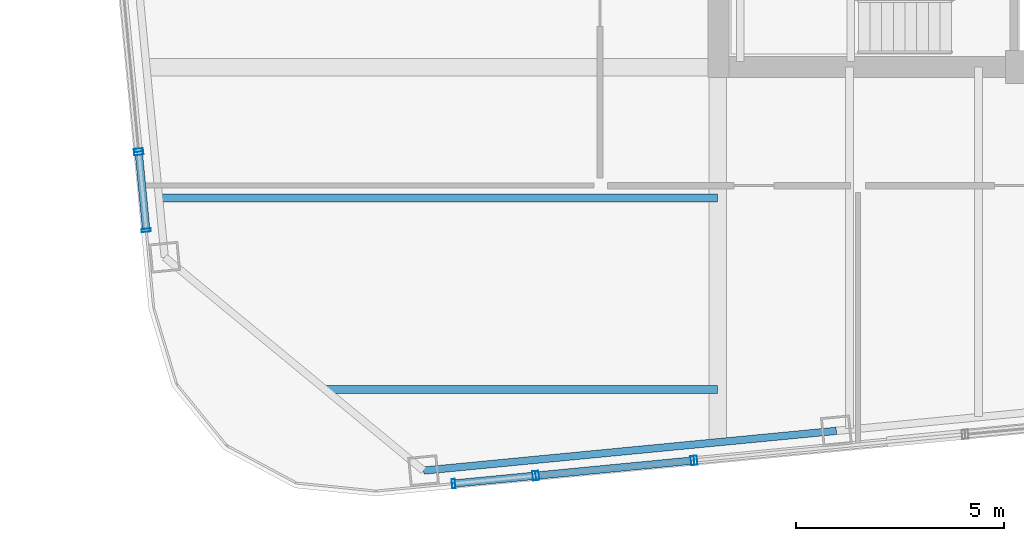
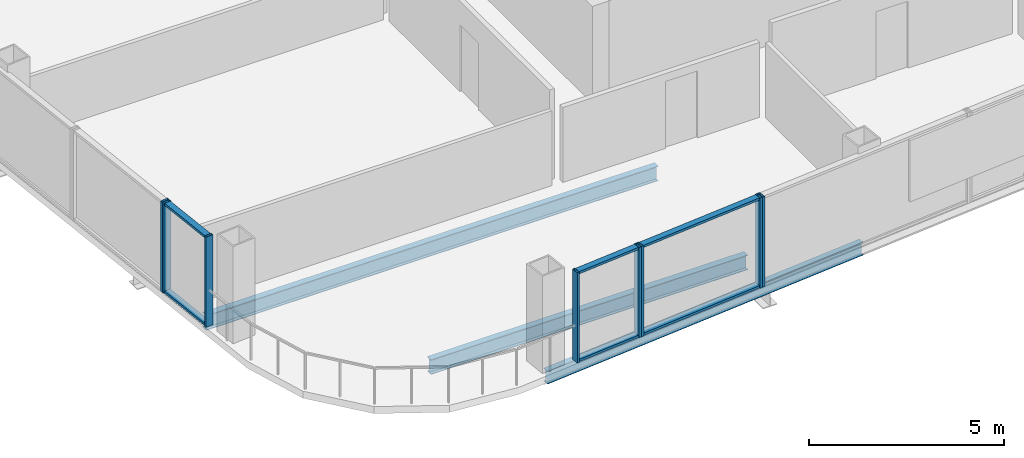
# One storey, part 2 of 22: 14 members, 3 beams, 5 elements without a shape of their own.
"""IFC4 building model written with IfcOpenShell, lengths in metres."""

from ifc_helpers import new_model, si_unit, direction, frame, origin, origin_2d, place, context, subcontext, project, spatial, hollow_rectangle, i_section, extrude, material, layer, layer_set, material_profile, profile_set, type_object, element, aggregate, save


model = new_model("IFC4")

# Units and contexts
model_context = context("Model", 3, precision=1e-05, world=origin(), true_north=direction((0.0, 1.0)))
body_context = subcontext(model_context, "Body", "Model", "MODEL_VIEW")
ifc_project = project(units=[si_unit("LENGTHUNIT", "METRE"), si_unit("AREAUNIT", "SQUARE_METRE"), si_unit("VOLUMEUNIT", "CUBIC_METRE"), si_unit("PLANEANGLEUNIT", "RADIAN"), si_unit("MASSUNIT", "GRAM", prefix="KILO")], contexts=[model_context])

# Site, building, storey
site_placement = place(None, origin())
site = spatial("IfcSite", under=ifc_project, at=site_placement, CompositionType="ELEMENT")
building_placement = place(site_placement, origin())
building = spatial("IfcBuilding", under=site, at=building_placement, Name="Qhalaya Broadcast Tower", CompositionType="ELEMENT")
storey_placement = place(building_placement, frame((0.0, 0.0, 174.449951171875)))
storey = spatial("IfcBuildingStorey", under=building, at=storey_placement, Name="L51", CompositionType="ELEMENT", Elevation=174.449951171875)

# Beams
ifc_material_1 = material(Name="Structural Steel ASTM A992 Grade 50", Category="steel")
ifc_material_profile_1 = material_profile(ifc_material_1, i_section(OverallWidth=0.19189453125, OverallDepth=0.462890625, WebThickness=0.010498046875, FlangeThickness=0.017578125, at=origin_2d()), Name="W18X60")
ifc_profile_set_1 = profile_set([ifc_material_profile_1], Name="Structural Steel ASTM A992 Grade 50")
beam_type_1 = type_object("IfcBeamType", Name="Composite Floor Joist J03", PredefinedType="JOIST", material=ifc_profile_set_1)
beam_1_placement = place(storey_placement, frame((-18.7734375, -16.5, -0.451416015625), z_axis=(1.0, 0.0, 0.0), x_axis=(0.0, 1.0, 0.0)))
element("IfcBeam", 1, at=beam_1_placement, inside=storey, type_object=beam_type_1, Name="L51 J03 L51-JWE1W-1", PredefinedType="JOIST", context=body_context, shape_type="SweptSolid", body=[
    extrude(i_section(OverallWidth=0.19189453125, OverallDepth=0.462890625, WebThickness=0.010498046875, FlangeThickness=0.017578125, at=origin_2d()), origin(), (0.0, 0.0, 1.0), 9.3984375),
])
beam_2_placement = place(storey_placement, frame((-22.77880859375, -11.89990234375, -0.451416015625), z_axis=(1.0, 0.0, 0.0), x_axis=(0.0, 1.0, 0.0)))
element("IfcBeam", 2, at=beam_2_placement, inside=storey, type_object=beam_type_1, Name="L51 J03 L51-JWE2W-1", PredefinedType="JOIST", context=body_context, shape_type="SweptSolid", body=[
    extrude(i_section(OverallWidth=0.19189453125, OverallDepth=0.462890625, WebThickness=0.010498046875, FlangeThickness=0.017578125, at=origin_2d()), origin(), (0.0, 0.0, 1.0), 13.40380859375),
])

# Curtain wall, members
ifc_material_2 = material(Name="Fired Architectural Terracotta", Category="masonry")
ifc_layer_1 = layer(ifc_material_2, 0.219970703125, Name="Fired Architectural Terracotta")
ifc_layer_set_1 = layer_set([ifc_layer_1], Name="Fired Architectural Terracotta")
curtain_wall_type_1 = type_object("IfcCurtainWallType", Name="Block-Cap Unitised Terracotta Spandrel Wall CW-07", PredefinedType="NOTDEFINED", material=ifc_layer_set_1)
curtain_wall_1_placement = place(storey_placement, origin())
curtain_wall_1 = element("IfcCurtainWall", 3, at=curtain_wall_1_placement, inside=storey, type_object=curtain_wall_type_1, Name="L51 Unitised Curtain Wall L51-CW-S1", PredefinedType="NOTDEFINED")
ifc_material_3 = material(Name="Anodised Aluminium 6063-T6", Category="aluminium")
ifc_material_profile_2 = material_profile(ifc_material_3, hollow_rectangle(XDim=0.074951171875, YDim=0.219970703125, WallThickness=0.00390625, at=origin_2d()), Name="ALU-MUL 75x220x4")
ifc_profile_set_2 = profile_set([ifc_material_profile_2], Name="Anodised Aluminium 6063-T6")
member_type_1 = type_object("IfcMemberType", Name="Unitised Curtain-Wall Mullion M01", PredefinedType="MULLION", material=ifc_profile_set_2)
member_1_placement = place(storey_placement, frame((-15.72119140625, -18.76025390625, 0.0), z_axis=(0.0, 0.0, 1.0), x_axis=(0.995396068977, 0.095847096282, 0.0)))
member_1 = element("IfcMember", 4, at=member_1_placement, type_object=member_type_1, Name="CW-07 mullion 1", PredefinedType="MULLION", context=body_context, shape_type="SweptSolid", body=[
    extrude(hollow_rectangle(XDim=0.074951171875, YDim=0.219970703125, WallThickness=0.00390625, at=origin_2d()), origin(), (0.0, 0.0, 1.0), 2.830078125),
])
member_2_placement = place(storey_placement, frame((-13.7822265625, -18.573486328125, 0.0), z_axis=(0.0, 0.0, 1.0), x_axis=(0.995396068977, 0.095847096282, 0.0)))
member_2 = element("IfcMember", 5, at=member_2_placement, type_object=member_type_1, Name="CW-07 mullion 2", PredefinedType="MULLION", context=body_context, shape_type="SweptSolid", body=[
    extrude(hollow_rectangle(XDim=0.074951171875, YDim=0.219970703125, WallThickness=0.00390625, at=origin_2d()), origin(), (0.0, 0.0, 1.0), 2.830078125),
])

ifc_material_4 = material(Name="Solar-Control Low-E Triple Glazing", Category="glass")
ifc_layer_2 = layer(ifc_material_4, 0.219970703125, Name="Solar-Control Low-E Triple Glazing")
ifc_layer_set_2 = layer_set([ifc_layer_2], Name="Solar-Control Low-E Triple Glazing")
curtain_wall_type_2 = type_object("IfcCurtainWallType", Name="Even-Block 4-Storey Double-Module Curtain Wall CW-03", PredefinedType="NOTDEFINED", material=ifc_layer_set_2)
curtain_wall_2_placement = place(storey_placement, origin())
curtain_wall_2 = element("IfcCurtainWall", 6, at=curtain_wall_2_placement, inside=storey, type_object=curtain_wall_type_2, Name="L51 Unitised Curtain Wall L51-CW-S2", PredefinedType="NOTDEFINED")
member_3_placement = place(storey_placement, frame((-13.70751953125, -18.56640625, 0.0), z_axis=(0.0, 0.0, 1.0), x_axis=(0.995396841683, 0.095839071198, 0.0)))
member_3 = element("IfcMember", 7, at=member_3_placement, type_object=member_type_1, Name="CW-03 mullion 1", PredefinedType="MULLION", context=body_context, shape_type="SweptSolid", body=[
    extrude(hollow_rectangle(XDim=0.074951171875, YDim=0.219970703125, WallThickness=0.00390625, at=origin_2d()), origin(), (0.0, 0.0, 1.0), 2.830078125),
])
member_4_placement = place(storey_placement, frame((-9.978759765625, -18.207275390625, 0.0), z_axis=(0.0, 0.0, 1.0), x_axis=(0.995396841683, 0.095839071198, 0.0)))
member_4 = element("IfcMember", 8, at=member_4_placement, type_object=member_type_1, Name="CW-03 mullion 2", PredefinedType="MULLION", context=body_context, shape_type="SweptSolid", body=[
    extrude(hollow_rectangle(XDim=0.074951171875, YDim=0.219970703125, WallThickness=0.00390625, at=origin_2d()), origin(), (0.0, 0.0, 1.0), 2.830078125),
])

# Curtain wall, member
curtain_wall_3_placement = place(storey_placement, origin())
curtain_wall_3 = element("IfcCurtainWall", 9, at=curtain_wall_3_placement, inside=storey, type_object=curtain_wall_type_1, Name="L51 Unitised Curtain Wall L51-CW-S3", PredefinedType="NOTDEFINED")
member_5_placement = place(storey_placement, frame((-9.904052734375, -18.2001953125, 0.0), z_axis=(0.0, 0.0, 1.0), x_axis=(0.995396395442, 0.095843705796, 0.0)))
member_5 = element("IfcMember", 10, at=member_5_placement, type_object=member_type_1, Name="CW-07 mullion 1", PredefinedType="MULLION", context=body_context, shape_type="SweptSolid", body=[
    extrude(hollow_rectangle(XDim=0.074951171875, YDim=0.219970703125, WallThickness=0.00390625, at=origin_2d()), origin(), (0.0, 0.0, 1.0), 2.830078125),
])
aggregate(curtain_wall_3, [member_5])

curtain_wall_4_placement = place(storey_placement, origin())
curtain_wall_4 = element("IfcCurtainWall", 11, at=curtain_wall_4_placement, inside=storey, type_object=curtain_wall_type_2, Name="L51 Unitised Curtain Wall L51-CW-W6", PredefinedType="NOTDEFINED")
member_6_placement = place(storey_placement, frame((-23.29150390625, -10.748291015625, 0.0), z_axis=(0.0, 0.0, 1.0), x_axis=(0.095825752198, -0.995398123976, 0.0)))
member_6 = element("IfcMember", 12, at=member_6_placement, type_object=member_type_1, Name="CW-03 mullion 2", PredefinedType="MULLION", context=body_context, shape_type="SweptSolid", body=[
    extrude(hollow_rectangle(XDim=0.074951171875, YDim=0.219970703125, WallThickness=0.00390625, at=origin_2d()), origin(), (0.0, 0.0, 1.0), 2.830078125),
])
aggregate(curtain_wall_4, [member_6])

# Curtain wall, members
curtain_wall_5_placement = place(storey_placement, origin())
curtain_wall_5 = element("IfcCurtainWall", 13, at=curtain_wall_5_placement, inside=storey, type_object=curtain_wall_type_1, Name="L51 Unitised Curtain Wall L51-CW-W7", PredefinedType="NOTDEFINED")
member_7_placement = place(storey_placement, frame((-23.284423828125, -10.822998046875, 0.0), z_axis=(0.0, 0.0, 1.0), x_axis=(0.095861254071, -0.995394705616, 0.0)))
member_7 = element("IfcMember", 14, at=member_7_placement, type_object=member_type_1, Name="CW-07 mullion 1", PredefinedType="MULLION", context=body_context, shape_type="SweptSolid", body=[
    extrude(hollow_rectangle(XDim=0.074951171875, YDim=0.219970703125, WallThickness=0.00390625, at=origin_2d()), origin(), (0.0, 0.0, 1.0), 2.830078125),
])
member_8_placement = place(storey_placement, frame((-23.106201171875, -12.67236328125, 0.0), z_axis=(0.0, 0.0, 1.0), x_axis=(0.095861254071, -0.995394705616, 0.0)))
member_8 = element("IfcMember", 15, at=member_8_placement, type_object=member_type_1, Name="CW-07 mullion 2", PredefinedType="MULLION", context=body_context, shape_type="SweptSolid", body=[
    extrude(hollow_rectangle(XDim=0.074951171875, YDim=0.219970703125, WallThickness=0.00390625, at=origin_2d()), origin(), (0.0, 0.0, 1.0), 2.830078125),
])

# Member
ifc_material_profile_3 = material_profile(ifc_material_3, hollow_rectangle(XDim=0.074951171875, YDim=0.179931640625, WallThickness=0.00390625, at=origin_2d()), Name="ALU-TRN 75x180x4")
ifc_profile_set_3 = profile_set([ifc_material_profile_3], Name="Anodised Aluminium 6063-T6")
member_type_2 = type_object("IfcMemberType", Name="Unitised Curtain-Wall Transom T01", PredefinedType="USERDEFINED", material=ifc_profile_set_3)
member_9_placement = place(storey_placement, frame((-15.683837890625, -18.756591796875, 0.03759765625), z_axis=(0.995400667165, 0.095799330937, 0.0), x_axis=(0.0, 0.0, 1.0)))
member_9 = element("IfcMember", 16, at=member_9_placement, type_object=member_type_2, Name="CW-07 transom 1.1", ObjectType="TRANSOM", PredefinedType="USERDEFINED", context=body_context, shape_type="SweptSolid", body=[
    extrude(hollow_rectangle(XDim=0.074951171875, YDim=0.179931640625, WallThickness=0.00390625, at=origin_2d()), origin(), (0.0, 0.0, 1.0), 1.873046875),
])

member_10_placement = place(storey_placement, frame((-15.683837890625, -18.756591796875, 2.79248046875), z_axis=(0.995400667165, 0.095799330937, 0.0), x_axis=(0.0, 0.0, 1.0)))
member_10 = element("IfcMember", 17, at=member_10_placement, type_object=member_type_2, Name="CW-07 transom 1.2", ObjectType="TRANSOM", PredefinedType="USERDEFINED", context=body_context, shape_type="SweptSolid", body=[
    extrude(hollow_rectangle(XDim=0.074951171875, YDim=0.179931640625, WallThickness=0.00390625, at=origin_2d()), origin(), (0.0, 0.0, 1.0), 1.873046875),
])

aggregate(curtain_wall_1, [member_1, member_2, member_9, member_10])

member_11_placement = place(storey_placement, frame((-13.670166015625, -18.562744140625, 0.03759765625), z_axis=(0.99539720199, 0.095835328928, 0.0), x_axis=(0.0, 0.0, 1.0)))
member_11 = element("IfcMember", 18, at=member_11_placement, type_object=member_type_2, Name="CW-03 transom 1.1", ObjectType="TRANSOM", PredefinedType="USERDEFINED", context=body_context, shape_type="SweptSolid", body=[
    extrude(hollow_rectangle(XDim=0.074951171875, YDim=0.179931640625, WallThickness=0.00390625, at=origin_2d()), origin(), (0.0, 0.0, 1.0), 3.6708984375),
])

member_12_placement = place(storey_placement, frame((-13.670166015625, -18.562744140625, 2.79248046875), z_axis=(0.99539720199, 0.095835328928, 0.0), x_axis=(0.0, 0.0, 1.0)))
member_12 = element("IfcMember", 19, at=member_12_placement, type_object=member_type_2, Name="CW-03 transom 1.2", ObjectType="TRANSOM", PredefinedType="USERDEFINED", context=body_context, shape_type="SweptSolid", body=[
    extrude(hollow_rectangle(XDim=0.074951171875, YDim=0.179931640625, WallThickness=0.00390625, at=origin_2d()), origin(), (0.0, 0.0, 1.0), 3.6708984375),
])

aggregate(curtain_wall_2, [member_3, member_4, member_11, member_12])

member_13_placement = place(storey_placement, frame((-23.28076171875, -10.8603515625, 0.03759765625), z_axis=(0.095842852043, -0.995396477647, 0.0), x_axis=(0.0, 0.0, 1.0)))
member_13 = element("IfcMember", 20, at=member_13_placement, type_object=member_type_2, Name="CW-07 transom 1.1", ObjectType="TRANSOM", PredefinedType="USERDEFINED", context=body_context, shape_type="SweptSolid", body=[
    extrude(hollow_rectangle(XDim=0.074951171875, YDim=0.179931640625, WallThickness=0.00390625, at=origin_2d()), origin(), (0.0, 0.0, 1.0), 1.783203125),
])

member_14_placement = place(storey_placement, frame((-23.28076171875, -10.8603515625, 2.79248046875), z_axis=(0.095842852043, -0.995396477647, 0.0), x_axis=(0.0, 0.0, 1.0)))
member_14 = element("IfcMember", 21, at=member_14_placement, type_object=member_type_2, Name="CW-07 transom 1.2", ObjectType="TRANSOM", PredefinedType="USERDEFINED", context=body_context, shape_type="SweptSolid", body=[
    extrude(hollow_rectangle(XDim=0.074951171875, YDim=0.179931640625, WallThickness=0.00390625, at=origin_2d()), origin(), (0.0, 0.0, 1.0), 1.783203125),
])

aggregate(curtain_wall_5, [member_7, member_8, member_13, member_14])

# Beam
ifc_material_profile_4 = material_profile(ifc_material_1, i_section(OverallWidth=0.177978515625, OverallDepth=0.406005859375, WebThickness=0.0078125, FlangeThickness=0.0126953125, at=origin_2d()), Name="W16X40")
ifc_profile_set_4 = profile_set([ifc_material_profile_4], Name="Structural Steel ASTM A992 Grade 50")
beam_type_2 = type_object("IfcBeamType", Name="Upper Perimeter Spandrel Beam SP2", PredefinedType="SPANDREL", material=ifc_profile_set_4)
beam_3_placement = place(storey_placement, frame((-16.44189453125, -18.44775390625, -0.4228515625), z_axis=(0.995397846936, 0.09582862993, 0.0), x_axis=(-0.09582862993, 0.995397846936, 0.0)))
element("IfcBeam", 22, at=beam_3_placement, inside=storey, type_object=beam_type_2, Name="L51 SP2 L51-SPR-01", PredefinedType="SPANDREL", context=body_context, shape_type="SweptSolid", body=[
    extrude(i_section(OverallWidth=0.177978515625, OverallDepth=0.406005859375, WebThickness=0.0078125, FlangeThickness=0.0126953125, at=origin_2d()), origin(), (0.0, 0.0, 1.0), 9.966552734375),
])

save(model, "model.ifc")
